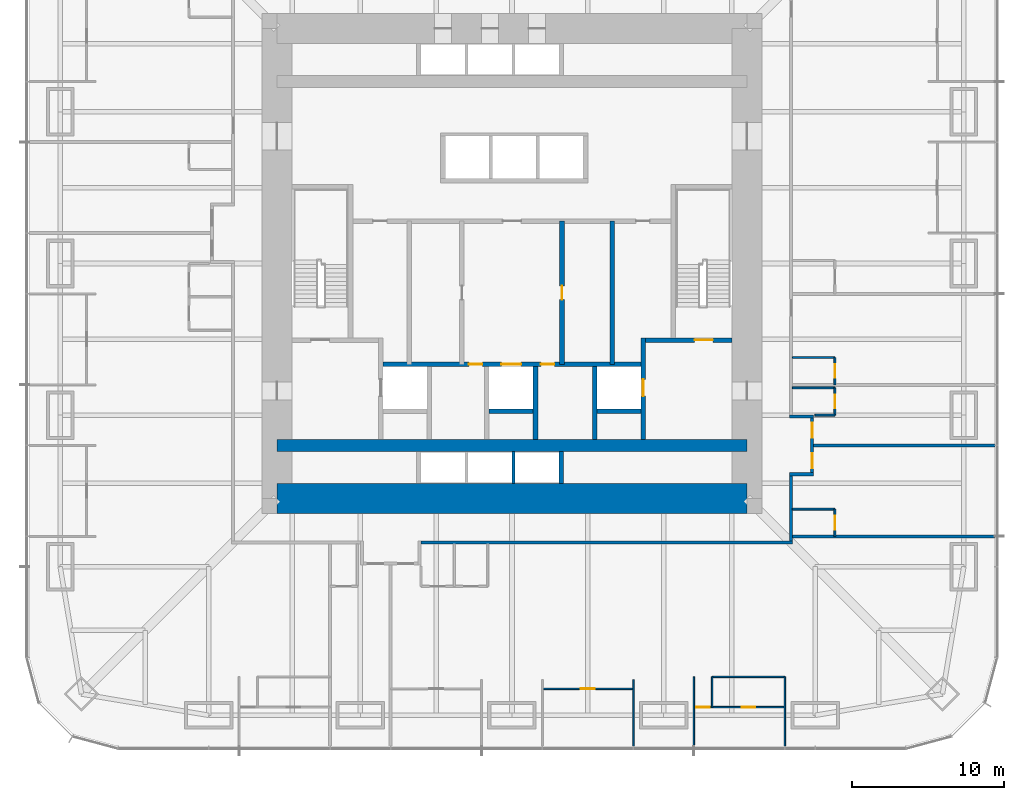
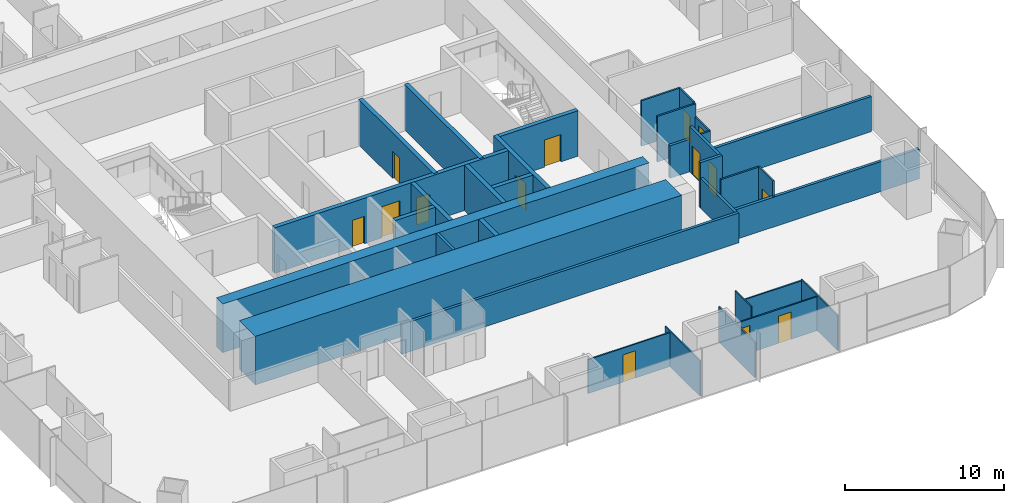
# One storey, part 16 of 20: 34 walls, 14 doors, 14 openings.
"""IFC4 building model written with IfcOpenShell, lengths in metres."""

from ifc_helpers import new_model, si_unit, direction, frame, frame_2d, origin, place, context, subcontext, project, spatial, rectangle, extrude, material, layer, layer_set, type_object, element, fill, save


model = new_model("IFC4")

# Units and contexts
model_context = context("Model", 3, precision=1e-05, world=origin(), true_north=direction((0.0, 1.0)))
body_context = subcontext(model_context, "Body", "Model", "MODEL_VIEW")
ifc_project = project(units=[si_unit("LENGTHUNIT", "METRE"), si_unit("AREAUNIT", "SQUARE_METRE"), si_unit("VOLUMEUNIT", "CUBIC_METRE"), si_unit("PLANEANGLEUNIT", "RADIAN"), si_unit("MASSUNIT", "GRAM", prefix="KILO")], contexts=[model_context])

# Site, building, storey
site_placement = place(None, origin())
site = spatial("IfcSite", under=ifc_project, at=site_placement, CompositionType="ELEMENT")
building_placement = place(site_placement, origin())
building = spatial("IfcBuilding", under=site, at=building_placement, Name="Khuree Lantern Residences", CompositionType="ELEMENT")
storey_placement = place(building_placement, frame((0.0, 0.0, 32.25)))
storey = spatial("IfcBuildingStorey", under=building, at=storey_placement, Name="L07", CompositionType="ELEMENT", Elevation=32.25)

# Wall, opening, door
ifc_material_1 = material(Name="Moisture-resistant gypsum board on steel studs", Category="steel")
ifc_layer_1 = layer(ifc_material_1, 0.125)
ifc_layer_set_1 = layer_set([ifc_layer_1], Name="BATHROOM WALL BTW125")
wall_type_1 = type_object("IfcWallType", Name="BATHROOM WALL BTW125", PredefinedType="PARTITIONING", material=ifc_layer_set_1)
wall_1_placement = place(storey_placement, frame((21.300048828125, -8.0, 0.0), z_axis=(0.0, 0.0, 1.0), x_axis=(0.0, 1.0, 0.0)))
wall_1 = element("IfcWall", 1, at=wall_1_placement, inside=storey, type_object=wall_type_1, Name="L07 BATHROOM WALL 01", PredefinedType="PARTITIONING", context=body_context, shape_type="SweptSolid", body=[
    extrude(rectangle(XDim=1.800048828125, YDim=0.125, at=frame_2d((0.89990234375, 0.0))), origin(), (0.0, 0.0, 1.0), 3.5),
])
opening_1_placement = place(wall_1_placement, frame((0.449951171875, 0.0, 0.0)))
opening_1 = element("IfcOpeningElement", 2, at=opening_1_placement, cuts=wall_1, Name="Opening 07-020", PredefinedType="OPENING", context=body_context, shape_type="SweptSolid", body=[
    extrude(rectangle(XDim=0.89990234375, YDim=2.10009765625, at=frame_2d((0.449951171875, 1.050048828125))), frame((0.0, 0.072509765625, 0.0), z_axis=(0.0, -1.0, 0.0), x_axis=(1.0, 0.0, 0.0)), (0.0, 0.0, 1.0), 0.14501953125),
])
ifc_material_2 = material(Name="Timber door leaf in hardwood frame", Category="wood")
door_type_1 = type_object("IfcDoorType", Name="BATHROOM DOOR 900X2100", OperationType="SINGLE_SWING_LEFT", PredefinedType="DOOR", material=ifc_material_2)
door_1_placement = place(opening_1_placement, origin())
door_1 = element("IfcDoor", 3, at=door_1_placement, inside=storey, type_object=door_type_1, Name="Bathroom door 07-020", OperationType="SINGLE_SWING_LEFT", OverallHeight=2.10009765625, OverallWidth=0.89990234375, PredefinedType="DOOR", context=body_context, shape_type="SweptSolid", body=[
    extrude(rectangle(XDim=0.89990234375, YDim=2.10009765625, at=frame_2d((0.449951171875, 1.050048828125))), frame((0.0, 0.02490234375, 0.0), z_axis=(0.0, -1.0, 0.0), x_axis=(1.0, 0.0, 0.0)), (0.0, 0.0, 1.0), 0.050048828125),
])
fill(opening_1, door_1)

# Wall
wall_2_placement = place(storey_placement, frame((18.5, -6.199951171875, 0.0), z_axis=(0.0, 0.0, 1.0), x_axis=(1.0, 0.0, 0.0)))
element("IfcWall", 4, at=wall_2_placement, inside=storey, type_object=wall_type_1, Name="L07 BATHROOM WALL 01", PredefinedType="PARTITIONING", context=body_context, shape_type="SweptSolid", body=[
    extrude(rectangle(XDim=2.800048828125, YDim=0.125, at=frame_2d((1.39990234375, 0.0))), origin(), (0.0, 0.0, 1.0), 3.5),
])

# Wall, opening, door
wall_3_placement = place(storey_placement, frame((21.300048828125, -18.0, 0.0), z_axis=(0.0, 0.0, 1.0), x_axis=(0.0, 1.0, 0.0)))
wall_3 = element("IfcWall", 5, at=wall_3_placement, inside=storey, type_object=wall_type_1, Name="L07 BATHROOM WALL 12", PredefinedType="PARTITIONING", context=body_context, shape_type="SweptSolid", body=[
    extrude(rectangle(XDim=1.800048828125, YDim=0.125, at=frame_2d((0.89990234375, 0.0))), origin(), (0.0, 0.0, 1.0), 3.5),
])
opening_2_placement = place(wall_3_placement, frame((0.449951171875, 0.0, 0.0)))
opening_2 = element("IfcOpeningElement", 6, at=opening_2_placement, cuts=wall_3, Name="Opening 07-059", PredefinedType="OPENING", context=body_context, shape_type="SweptSolid", body=[
    extrude(rectangle(XDim=0.89990234375, YDim=2.10009765625, at=frame_2d((0.449951171875, 1.050048828125))), frame((0.0, 0.072509765625, 0.0), z_axis=(0.0, -1.0, 0.0), x_axis=(1.0, 0.0, 0.0)), (0.0, 0.0, 1.0), 0.14501953125),
])
door_2_placement = place(opening_2_placement, origin())
door_2 = element("IfcDoor", 7, at=door_2_placement, inside=storey, type_object=door_type_1, Name="Bathroom door 07-059", OperationType="SINGLE_SWING_LEFT", OverallHeight=2.10009765625, OverallWidth=0.89990234375, PredefinedType="DOOR", context=body_context, shape_type="SweptSolid", body=[
    extrude(rectangle(XDim=0.89990234375, YDim=2.10009765625, at=frame_2d((0.449951171875, 1.050048828125))), frame((0.0, 0.02490234375, 0.0), z_axis=(0.0, -1.0, 0.0), x_axis=(1.0, 0.0, 0.0)), (0.0, 0.0, 1.0), 0.050048828125),
])
fill(opening_2, door_2)

# Wall
wall_4_placement = place(storey_placement, frame((18.5, -16.199951171875, 0.0), z_axis=(0.0, 0.0, 1.0), x_axis=(1.0, 0.0, 0.0)))
element("IfcWall", 8, at=wall_4_placement, inside=storey, type_object=wall_type_1, Name="L07 BATHROOM WALL 12", PredefinedType="PARTITIONING", context=body_context, shape_type="SweptSolid", body=[
    extrude(rectangle(XDim=2.800048828125, YDim=0.125, at=frame_2d((1.39990234375, 0.0))), origin(), (0.0, 0.0, 1.0), 3.5),
])

# Wall, opening, door
wall_5_placement = place(storey_placement, frame((21.300048828125, -10.0, 0.0), z_axis=(0.0, 0.0, 1.0), x_axis=(0.0, 1.0, 0.0)))
wall_5 = element("IfcWall", 9, at=wall_5_placement, inside=storey, type_object=wall_type_1, Name="L07 BATHROOM WALL 13", PredefinedType="PARTITIONING", context=body_context, shape_type="SweptSolid", body=[
    extrude(rectangle(XDim=1.800048828125, YDim=0.125, at=frame_2d((0.89990234375, 0.0))), origin(), (0.0, 0.0, 1.0), 2.491943359375),
])
opening_3_placement = place(wall_5_placement, frame((0.449951171875, 0.0, 0.0)))
opening_3 = element("IfcOpeningElement", 10, at=opening_3_placement, cuts=wall_5, Name="Opening 07-061", PredefinedType="OPENING", context=body_context, shape_type="SweptSolid", body=[
    extrude(rectangle(XDim=0.89990234375, YDim=2.10009765625, at=frame_2d((0.449951171875, 1.050048828125))), frame((0.0, 0.072509765625, 0.0), z_axis=(0.0, -1.0, 0.0), x_axis=(1.0, 0.0, 0.0)), (0.0, 0.0, 1.0), 0.14501953125),
])
door_3_placement = place(opening_3_placement, origin())
door_3 = element("IfcDoor", 11, at=door_3_placement, inside=storey, type_object=door_type_1, Name="Bathroom door 07-061", OperationType="SINGLE_SWING_LEFT", OverallHeight=2.10009765625, OverallWidth=0.89990234375, PredefinedType="DOOR", context=body_context, shape_type="SweptSolid", body=[
    extrude(rectangle(XDim=0.89990234375, YDim=2.10009765625, at=frame_2d((0.449951171875, 1.050048828125))), frame((0.0, 0.02490234375, 0.0), z_axis=(0.0, -1.0, 0.0), x_axis=(1.0, 0.0, 0.0)), (0.0, 0.0, 1.0), 0.050048828125),
])
fill(opening_3, door_3)

# Walls
wall_6_placement = place(storey_placement, frame((19.969970703125, -10.0, 0.0), z_axis=(0.0, 0.0, 1.0), x_axis=(1.0, 0.0, 0.0)))
element("IfcWall", 12, at=wall_6_placement, inside=storey, type_object=wall_type_1, Name="L07 BATHROOM WALL 13", PredefinedType="PARTITIONING", context=body_context, shape_type="SweptSolid", body=[
    extrude(rectangle(XDim=1.330078125, YDim=0.125, at=frame_2d((0.6650390625, 0.0))), origin(), (0.0, 0.0, 1.0), 2.491943359375),
])
wall_7_placement = place(storey_placement, frame((18.5, -8.199951171875, 0.0), z_axis=(0.0, 0.0, 1.0), x_axis=(1.0, 0.0, 0.0)))
element("IfcWall", 13, at=wall_7_placement, inside=storey, type_object=wall_type_1, Name="L07 BATHROOM WALL 13", PredefinedType="PARTITIONING", context=body_context, shape_type="SweptSolid", body=[
    extrude(rectangle(XDim=2.800048828125, YDim=0.125, at=frame_2d((1.39990234375, 0.0))), origin(), (0.0, 0.0, 1.0), 3.5),
])

# Wall, opening, door
ifc_material_3 = material(Name="Dense concrete blockwork", Category="masonry")
ifc_layer_2 = layer(ifc_material_3, 0.300048828125)
ifc_layer_set_2 = layer_set([ifc_layer_2], Name="CORE PARTITION WALL CPW300 EI 120")
wall_type_2 = type_object("IfcWallType", Name="CORE PARTITION WALL CPW300 EI 120", PredefinedType="PARTITIONING", material=ifc_layer_set_2)
wall_8_placement = place(storey_placement, frame((8.64990234375, -11.60009765625, 0.0), z_axis=(0.0, 0.0, 1.0), x_axis=(0.0, 1.0, 0.0)))
wall_8 = element("IfcWall", 14, at=wall_8_placement, inside=storey, type_object=wall_type_2, Name="L07 CORE WALL FL2E", PredefinedType="PARTITIONING", context=body_context, shape_type="SweptSolid", body=[
    extrude(rectangle(XDim=6.7001953125, YDim=0.300048828125, at=frame_2d((3.35009765625, 0.0))), origin(), (0.0, 0.0, 1.0), 3.5),
])
opening_4_placement = place(wall_8_placement, frame((2.85009765625, 0.0, 0.0)))
opening_4 = element("IfcOpeningElement", 15, at=opening_4_placement, cuts=wall_8, Name="Opening 07-008", PredefinedType="OPENING", context=body_context, shape_type="SweptSolid", body=[
    extrude(rectangle(XDim=1.10009765625, YDim=2.10009765625, at=frame_2d((0.550048828125, 1.050048828125))), frame((0.0, 0.16015625, 0.0), z_axis=(0.0, -1.0, 0.0), x_axis=(1.0, 0.0, 0.0)), (0.0, 0.0, 1.0), 0.320068359375),
])
ifc_material_4 = material(Name="Stainless steel lift landing door", Category="steel")
door_type_2 = type_object("IfcDoorType", Name="LIFT LANDING DOOR 1100X2100 E 120", OperationType="DOUBLE_DOOR_SLIDING", PredefinedType="DOOR", material=ifc_material_4)
door_4_placement = place(opening_4_placement, origin())
door_4 = element("IfcDoor", 16, at=door_4_placement, inside=storey, type_object=door_type_2, Name="Landing door FL2 07-008", OperationType="DOUBLE_DOOR_SLIDING", OverallHeight=2.10009765625, OverallWidth=1.10009765625, PredefinedType="DOOR", context=body_context, shape_type="SweptSolid", body=[
    extrude(rectangle(XDim=1.10009765625, YDim=2.10009765625, at=frame_2d((0.550048828125, 1.050048828125))), frame((0.0, 0.02490234375, 0.0), z_axis=(0.0, -1.0, 0.0), x_axis=(1.0, 0.0, 0.0)), (0.0, 0.0, 1.0), 0.050048828125),
])
fill(opening_4, door_4)

# Wall, openings, doors
wall_9_placement = place(storey_placement, frame((-8.5, -6.64990234375, 0.0), z_axis=(0.0, 0.0, 1.0), x_axis=(1.0, 0.0, 0.0)))
wall_9 = element("IfcWall", 17, at=wall_9_placement, inside=storey, type_object=wall_type_2, Name="L07 CORE WALL FLROW", PredefinedType="PARTITIONING", context=body_context, shape_type="SweptSolid", body=[
    extrude(rectangle(XDim=17.0, YDim=0.300048828125, at=frame_2d((8.5, 0.0))), origin(), (0.0, 0.0, 1.0), 3.5),
])
opening_5_placement = place(wall_9_placement, frame((7.800048828125, 0.0, 0.0)))
opening_5 = element("IfcOpeningElement", 18, at=opening_5_placement, cuts=wall_9, Name="Opening 07-012", PredefinedType="OPENING", context=body_context, shape_type="SweptSolid", body=[
    extrude(rectangle(XDim=1.300048828125, YDim=2.39990234375, at=frame_2d((0.64990234375, 1.199951171875))), frame((0.0, 0.16015625, 0.0), z_axis=(0.0, -1.0, 0.0), x_axis=(1.0, 0.0, 0.0)), (0.0, 0.0, 1.0), 0.320068359375),
])
opening_6_placement = place(wall_9_placement, frame((5.64990234375, 0.0, 0.0)))
opening_6 = element("IfcOpeningElement", 19, at=opening_6_placement, cuts=wall_9, Name="Opening 07-014", PredefinedType="OPENING", context=body_context, shape_type="SweptSolid", body=[
    extrude(rectangle(XDim=0.89990234375, YDim=2.10009765625, at=frame_2d((0.449951171875, 1.050048828125))), frame((0.0, 0.16015625, 0.0), z_axis=(0.0, -1.0, 0.0), x_axis=(1.0, 0.0, 0.0)), (0.0, 0.0, 1.0), 0.320068359375),
])
opening_7_placement = place(wall_9_placement, frame((10.39990234375, 0.0, 0.0)))
opening_7 = element("IfcOpeningElement", 20, at=opening_7_placement, cuts=wall_9, Name="Opening 07-015", PredefinedType="OPENING", context=body_context, shape_type="SweptSolid", body=[
    extrude(rectangle(XDim=0.89990234375, YDim=2.10009765625, at=frame_2d((0.449951171875, 1.050048828125))), frame((0.0, 0.16015625, 0.0), z_axis=(0.0, -1.0, 0.0), x_axis=(1.0, 0.0, 0.0)), (0.0, 0.0, 1.0), 0.320068359375),
])
ifc_material_5 = material(Name="Steel door leaf in steel frame", Category="steel")
door_type_3 = type_object("IfcDoorType", Name="DOOR 900X2100 EI 60", OperationType="SINGLE_SWING_LEFT", PredefinedType="DOOR", material=ifc_material_5)
door_5_placement = place(opening_6_placement, origin())
door_5 = element("IfcDoor", 21, at=door_5_placement, inside=storey, type_object=door_type_3, Name="Refuse chute room door 07-014", OperationType="SINGLE_SWING_LEFT", OverallHeight=2.10009765625, OverallWidth=0.89990234375, PredefinedType="DOOR", context=body_context, shape_type="SweptSolid", body=[
    extrude(rectangle(XDim=0.89990234375, YDim=2.10009765625, at=frame_2d((0.449951171875, 1.050048828125))), frame((0.0, 0.02490234375, 0.0), z_axis=(0.0, -1.0, 0.0), x_axis=(1.0, 0.0, 0.0)), (0.0, 0.0, 1.0), 0.050048828125),
])
fill(opening_6, door_5)
door_type_4 = type_object("IfcDoorType", Name="DOOR 900X2100 EI 60 RIGHT HAND", OperationType="SINGLE_SWING_RIGHT", PredefinedType="DOOR", material=ifc_material_5)
door_6_placement = place(opening_7_placement, origin())
door_6 = element("IfcDoor", 22, at=door_6_placement, inside=storey, type_object=door_type_4, Name="Electrical and plumbing riser door 07-015", OperationType="SINGLE_SWING_RIGHT", OverallHeight=2.10009765625, OverallWidth=0.89990234375, PredefinedType="DOOR", context=body_context, shape_type="SweptSolid", body=[
    extrude(rectangle(XDim=0.89990234375, YDim=2.10009765625, at=frame_2d((0.449951171875, 1.050048828125))), frame((0.0, 0.02490234375, 0.0), z_axis=(0.0, -1.0, 0.0), x_axis=(1.0, 0.0, 0.0)), (0.0, 0.0, 1.0), 0.050048828125),
])
fill(opening_7, door_6)
door_type_5 = type_object("IfcDoorType", Name="LIFT LANDING DOOR 1300X2400 E 60", OperationType="DOUBLE_DOOR_SLIDING", PredefinedType="DOOR", material=ifc_material_4)
door_7_placement = place(opening_5_placement, origin())
door_7 = element("IfcDoor", 23, at=door_7_placement, inside=storey, type_object=door_type_5, Name="Landing door SL1 07-012", OperationType="DOUBLE_DOOR_SLIDING", OverallHeight=2.39990234375, OverallWidth=1.300048828125, PredefinedType="DOOR", context=body_context, shape_type="SweptSolid", body=[
    extrude(rectangle(XDim=1.300048828125, YDim=2.39990234375, at=frame_2d((0.64990234375, 1.199951171875))), frame((0.0, 0.02490234375, 0.0), z_axis=(0.0, -1.0, 0.0), x_axis=(1.0, 0.0, 0.0)), (0.0, 0.0, 1.0), 0.050048828125),
])
fill(opening_5, door_7)

# Walls
for number, where, z_axis, x_axis, name in (
    (24, (1.550048828125, -11.60009765625, 0.0), (0.0, 0.0, 1.0), (0.0, 1.0, 0.0), "L07 CORE WALL SL1E"),
    (25, (5.449951171875, -11.60009765625, 0.0), (0.0, 0.0, 1.0), (0.0, 1.0, 0.0), "L07 CORE WALL FL2W"),
):
    element("IfcWall", number, at=place(storey_placement, frame(where, z_axis=z_axis, x_axis=x_axis)), inside=storey, type_object=wall_type_2, Name=name, PredefinedType="PARTITIONING", context=body_context, shape_type="SweptSolid", body=[
        extrude(rectangle(XDim=4.800048828125, YDim=0.300048828125, at=frame_2d((2.39990234375, 0.0))), origin(), (0.0, 0.0, 1.0), 3.5),
    ])
for number, where, z_axis, x_axis, name in (
    (26, (-1.5, -9.75, 0.0), (0.0, 0.0, 1.0), (1.0, 0.0, 0.0), "L07 CORE WALL SL1S"),
    (27, (5.60009765625, -9.75, 0.0), (0.0, 0.0, 1.0), (1.0, 0.0, 0.0), "L07 CORE WALL FL2S"),
):
    element("IfcWall", number, at=place(storey_placement, frame(where, z_axis=z_axis, x_axis=x_axis)), inside=storey, type_object=wall_type_2, Name=name, PredefinedType="PARTITIONING", context=body_context, shape_type="SweptSolid", body=[
        extrude(rectangle(XDim=2.89990234375, YDim=0.300048828125, at=frame_2d((1.449951171875, 0.0))), origin(), (0.0, 0.0, 1.0), 3.5),
    ])
wall_10_placement = place(storey_placement, frame((3.25, -14.5, 0.0), z_axis=(0.0, 0.0, 1.0), x_axis=(0.0, 1.0, 0.0)))
element("IfcWall", 28, at=wall_10_placement, inside=storey, type_object=wall_type_2, Name="L07 CORE WALL PME", PredefinedType="PARTITIONING", context=body_context, shape_type="SweptSolid", body=[
    extrude(rectangle(XDim=2.10009765625, YDim=0.300048828125, at=frame_2d((1.050048828125, 0.0))), origin(), (0.0, 0.0, 1.0), 3.5),
])

# Wall, opening, door
wall_11_placement = place(storey_placement, frame((3.300048828125, -6.64990234375, 0.0), z_axis=(0.0, 0.0, 1.0), x_axis=(0.0, 1.0, 0.0)))
wall_11 = element("IfcWall", 29, at=wall_11_placement, inside=storey, type_object=wall_type_2, Name="L07 CORE WALL SVE", PredefinedType="PARTITIONING", context=body_context, shape_type="SweptSolid", body=[
    extrude(rectangle(XDim=9.449951171875, YDim=0.300048828125, at=frame_2d((4.72509765625, 0.0))), origin(), (0.0, 0.0, 1.0), 3.5),
])
opening_8_placement = place(wall_11_placement, frame((4.27490234375, 0.0, 0.0)))
opening_8 = element("IfcOpeningElement", 30, at=opening_8_placement, cuts=wall_11, Name="Opening 07-018", PredefinedType="OPENING", context=body_context, shape_type="SweptSolid", body=[
    extrude(rectangle(XDim=0.89990234375, YDim=2.10009765625, at=frame_2d((0.449951171875, 1.050048828125))), frame((0.0, 0.16015625, 0.0), z_axis=(0.0, -1.0, 0.0), x_axis=(1.0, 0.0, 0.0)), (0.0, 0.0, 1.0), 0.320068359375),
])
door_type_6 = type_object("IfcDoorType", Name="DOOR 900X2100", OperationType="SINGLE_SWING_LEFT", PredefinedType="DOOR", material=ifc_material_2)
door_8_placement = place(opening_8_placement, origin())
door_8 = element("IfcDoor", 31, at=door_8_placement, inside=storey, type_object=door_type_6, Name="Residents' store door 07-018", OperationType="SINGLE_SWING_LEFT", OverallHeight=2.10009765625, OverallWidth=0.89990234375, PredefinedType="DOOR", context=body_context, shape_type="SweptSolid", body=[
    extrude(rectangle(XDim=0.89990234375, YDim=2.10009765625, at=frame_2d((0.449951171875, 1.050048828125))), frame((0.0, 0.02490234375, 0.0), z_axis=(0.0, -1.0, 0.0), x_axis=(1.0, 0.0, 0.0)), (0.0, 0.0, 1.0), 0.050048828125),
])
fill(opening_8, door_8)

# Walls
wall_12_placement = place(storey_placement, frame((6.6220703125, -6.64990234375, 0.0), z_axis=(0.0, 0.0, 1.0), x_axis=(0.0, 1.0, 0.0)))
element("IfcWall", 32, at=wall_12_placement, inside=storey, type_object=wall_type_2, Name="L07 CORE WALL EV", PredefinedType="PARTITIONING", context=body_context, shape_type="SweptSolid", body=[
    extrude(rectangle(XDim=9.449951171875, YDim=0.300048828125, at=frame_2d((4.72509765625, 0.0))), origin(), (0.0, 0.0, 1.0), 3.5),
])
ifc_material_6 = material(Name="Gypsum board on steel studs", Category="steel")
ifc_layer_3 = layer(ifc_material_6, 0.199951171875)
ifc_layer_set_3 = layer_set([ifc_layer_3], Name="CORRIDOR WALL CRW200 EI 60")
wall_type_3 = type_object("IfcWallType", Name="CORRIDOR WALL CRW200 EI 60", PredefinedType="PARTITIONING", material=ifc_layer_set_3)
wall_13_placement = place(storey_placement, frame((18.39990234375, -18.300048828125, 0.0), z_axis=(0.0, 0.0, 1.0), x_axis=(0.0, 1.0, 0.0)))
element("IfcWall", 33, at=wall_13_placement, inside=storey, type_object=wall_type_3, Name="L07 CORRIDOR WALL EAST 1", PredefinedType="PARTITIONING", context=body_context, shape_type="SweptSolid", body=[
    extrude(rectangle(XDim=4.300048828125, YDim=0.199951171875, at=frame_2d((2.14990234375, 0.0))), origin(), (0.0, 0.0, 1.0), 2.300048828125),
])
wall_14_placement = place(storey_placement, frame((18.300048828125, -13.89990234375, 0.0), z_axis=(0.0, 0.0, 1.0), x_axis=(1.0, 0.0, 0.0)))
element("IfcWall", 34, at=wall_14_placement, inside=storey, type_object=wall_type_3, Name="L07 CORRIDOR ALCOVE WALL EAST", PredefinedType="PARTITIONING", context=body_context, shape_type="SweptSolid", body=[
    extrude(rectangle(XDim=1.599853515625, YDim=0.199951171875, at=frame_2d((0.7998046875, 0.0))), origin(), (0.0, 0.0, 1.0), 3.5),
])
wall_15_placement = place(storey_placement, frame((18.300048828125, -10.10009765625, 0.0), z_axis=(0.0, 0.0, 1.0), x_axis=(1.0, 0.0, 0.0)))
element("IfcWall", 35, at=wall_15_placement, inside=storey, type_object=wall_type_3, Name="L07 CORRIDOR ALCOVE WALL EAST", PredefinedType="PARTITIONING", context=body_context, shape_type="SweptSolid", body=[
    extrude(rectangle(XDim=1.599853515625, YDim=0.199951171875, at=frame_2d((0.7998046875, 0.0))), origin(), (0.0, 0.0, 1.0), 2.491943359375),
])

# Wall, openings, doors
wall_16_placement = place(storey_placement, frame((19.800048828125, -13.800048828125, 0.0), z_axis=(0.0, 0.0, 1.0), x_axis=(0.0, 1.0, 0.0)))
wall_16 = element("IfcWall", 36, at=wall_16_placement, inside=storey, type_object=wall_type_3, Name="L07 CORRIDOR ALCOVE WALL EAST", PredefinedType="PARTITIONING", context=body_context, shape_type="SweptSolid", body=[
    extrude(rectangle(XDim=3.60009765625, YDim=0.199951171875, at=frame_2d((1.800048828125, 0.0))), origin(), (0.0, 0.0, 1.0), 3.5),
])
opening_9_placement = place(wall_16_placement, frame((0.300048828125, 0.0, 0.0)))
opening_9 = element("IfcOpeningElement", 37, at=opening_9_placement, cuts=wall_16, Name="Opening 07-060", PredefinedType="OPENING", context=body_context, shape_type="SweptSolid", body=[
    extrude(rectangle(XDim=1.0, YDim=2.199951171875, at=frame_2d((0.5, 1.10009765625))), frame((0.0, 0.10986328125, 0.0), z_axis=(0.0, -1.0, 0.0), x_axis=(1.0, 0.0, 0.0)), (0.0, 0.0, 1.0), 0.219970703125),
])
opening_10_placement = place(wall_16_placement, frame((2.300048828125, 0.0, 0.0)))
opening_10 = element("IfcOpeningElement", 38, at=opening_10_placement, cuts=wall_16, Name="Opening 07-062", PredefinedType="OPENING", context=body_context, shape_type="SweptSolid", body=[
    extrude(rectangle(XDim=1.0, YDim=2.199951171875, at=frame_2d((0.5, 1.10009765625))), frame((0.0, 0.10986328125, 0.0), z_axis=(0.0, -1.0, 0.0), x_axis=(1.0, 0.0, 0.0)), (0.0, 0.0, 1.0), 0.219970703125),
])
door_type_7 = type_object("IfcDoorType", Name="APARTMENT ENTRANCE DOOR 1000X2200 EI 30S", OperationType="SINGLE_SWING_LEFT", PredefinedType="DOOR", material=ifc_material_2)
door_9_placement = place(opening_9_placement, origin())
door_9 = element("IfcDoor", 39, at=door_9_placement, inside=storey, type_object=door_type_7, Name="Apartment 12 entrance door 07-060", OperationType="SINGLE_SWING_LEFT", OverallHeight=2.199951171875, OverallWidth=1.0, PredefinedType="DOOR", context=body_context, shape_type="SweptSolid", body=[
    extrude(rectangle(XDim=1.0, YDim=2.199951171875, at=frame_2d((0.5, 1.10009765625))), frame((0.0, 0.02490234375, 0.0), z_axis=(0.0, -1.0, 0.0), x_axis=(1.0, 0.0, 0.0)), (0.0, 0.0, 1.0), 0.050048828125),
])
fill(opening_9, door_9)
door_type_8 = type_object("IfcDoorType", Name="APARTMENT ENTRANCE DOOR 1000X2200 EI 30S RIGHT HAND", OperationType="SINGLE_SWING_RIGHT", PredefinedType="DOOR", material=ifc_material_2)
door_10_placement = place(opening_10_placement, origin())
door_10 = element("IfcDoor", 40, at=door_10_placement, inside=storey, type_object=door_type_8, Name="Apartment 13 entrance door 07-062", OperationType="SINGLE_SWING_RIGHT", OverallHeight=2.199951171875, OverallWidth=1.0, PredefinedType="DOOR", context=body_context, shape_type="SweptSolid", body=[
    extrude(rectangle(XDim=1.0, YDim=2.199951171875, at=frame_2d((0.5, 1.10009765625))), frame((0.0, 0.02490234375, 0.0), z_axis=(0.0, -1.0, 0.0), x_axis=(1.0, 0.0, 0.0)), (0.0, 0.0, 1.0), 0.050048828125),
])
fill(opening_10, door_10)

# Walls
wall_17_placement = place(storey_placement, frame((18.5, -18.39990234375, 0.0), z_axis=(0.0, 0.0, 1.0), x_axis=(-1.0, 0.0, 0.0)))
element("IfcWall", 41, at=wall_17_placement, inside=storey, type_object=wall_type_3, Name="L07 CORRIDOR WALL SOUTH 1", PredefinedType="PARTITIONING", context=body_context, shape_type="SweptSolid", body=[
    extrude(rectangle(XDim=24.5, YDim=0.199951171875, at=frame_2d((12.25, 0.0))), origin(), (0.0, 0.0, 1.0), 2.300048828125),
])
ifc_material_7 = material(Name="Concrete C70/85", Category="concrete")
ifc_layer_4 = layer(ifc_material_7, 2.0)
ifc_layer_set_4 = layer_set([ifc_layer_4], Name="CW2000-C70 CORE WALL C70 2000")
wall_type_4 = type_object("IfcWallType", Name="CW2000-C70 CORE WALL C70 2000", PredefinedType="SHEAR", material=ifc_layer_set_4)
wall_18_placement = place(storey_placement, frame((-15.5, -15.5, -0.25), z_axis=(0.0, 0.0, 1.0), x_axis=(1.0, 0.0, 0.0)))
element("IfcWall", 42, at=wall_18_placement, inside=storey, type_object=wall_type_4, Name="Core wall S", PredefinedType="SHEAR", context=body_context, shape_type="SweptSolid", body=[
    extrude(rectangle(XDim=31.0, YDim=2.0, at=frame_2d((15.5, 0.0))), origin(), (0.0, 0.0, 1.0), 3.75),
])
ifc_layer_5 = layer(ifc_material_6, 0.199951171875)
ifc_layer_set_5 = layer_set([ifc_layer_5], Name="DEMISING WALL DMW200 EI 90")
wall_type_5 = type_object("IfcWallType", Name="DEMISING WALL DMW200 EI 90", PredefinedType="PARTITIONING", material=ifc_layer_set_5)
wall_19_placement = place(storey_placement, frame((18.5, -18.0, 0.0), z_axis=(0.0, 0.0, 1.0), x_axis=(1.0, 0.0, 0.0)))
element("IfcWall", 43, at=wall_19_placement, inside=storey, type_object=wall_type_5, Name="L07 DEMISING WALL 12", PredefinedType="PARTITIONING", context=body_context, shape_type="SweptSolid", body=[
    extrude(rectangle(XDim=13.35009765625, YDim=0.199951171875, at=frame_2d((6.675048828125, 0.0))), origin(), (0.0, 0.0, 1.0), 2.300048828125),
])
wall_20_placement = place(storey_placement, frame((19.89990234375, -12.0, 0.0), z_axis=(0.0, 0.0, 1.0), x_axis=(1.0, 0.0, 0.0)))
element("IfcWall", 44, at=wall_20_placement, inside=storey, type_object=wall_type_5, Name="L07 DEMISING WALL 13", PredefinedType="PARTITIONING", context=body_context, shape_type="SweptSolid", body=[
    extrude(rectangle(XDim=11.9501953125, YDim=0.199951171875, at=frame_2d((5.97509765625, 0.0))), origin(), (0.0, 0.0, 1.0), 2.7099609375),
])
ifc_layer_6 = layer(ifc_material_6, 0.10009765625)
ifc_layer_set_6 = layer_set([ifc_layer_6], Name="PARTITION PT100")
wall_type_6 = type_object("IfcWallType", Name="PARTITION PT100", PredefinedType="PARTITIONING", material=ifc_layer_set_6)
wall_21_placement = place(storey_placement, frame((8.0, -27.449951171875, 0.0), z_axis=(0.0, 0.0, 1.0), x_axis=(0.0, -1.0, 0.0)))
element("IfcWall", 45, at=wall_21_placement, inside=storey, type_object=wall_type_6, Name="L07 PARTITION 11", PredefinedType="PARTITIONING", context=body_context, shape_type="SweptSolid", body=[
    extrude(rectangle(XDim=4.400146484375, YDim=0.10009765625, at=frame_2d((2.2001953125, 0.0))), origin(), (0.0, 0.0, 1.0), 2.7099609375),
])
for number, where, z_axis, x_axis, name in (
    (46, (12.0, -27.2666015625, 0.0), (0.0, 0.0, 1.0), (0.0, -1.0, 0.0), "L07 PARTITION 11"),
    (47, (18.0, -27.2666015625, 0.0), (0.0, 0.0, 1.0), (0.0, -1.0, 0.0), "L07 PARTITION 11"),
):
    element("IfcWall", number, at=place(storey_placement, frame(where, z_axis=z_axis, x_axis=x_axis)), inside=storey, type_object=wall_type_6, Name=name, PredefinedType="PARTITIONING", context=body_context, shape_type="SweptSolid", body=[
        extrude(rectangle(XDim=4.58349609375, YDim=0.10009765625, at=frame_2d((2.291748046875, 0.0))), origin(), (0.0, 0.0, 1.0), 2.7099609375),
    ])

# Wall, opening, door
wall_22_placement = place(storey_placement, frame((2.0, -28.050048828125, 0.0), z_axis=(0.0, 0.0, 1.0), x_axis=(1.0, 0.0, 0.0)))
wall_22 = element("IfcWall", 48, at=wall_22_placement, inside=storey, type_object=wall_type_6, Name="L07 PARTITION 11", PredefinedType="PARTITIONING", context=body_context, shape_type="SweptSolid", body=[
    extrude(rectangle(XDim=6.0, YDim=0.10009765625, at=frame_2d((3.0, 0.0))), origin(), (0.0, 0.0, 1.0), 2.610107421875),
])
opening_11_placement = place(wall_22_placement, frame((2.550048828125, 0.0, 0.0)))
opening_11 = element("IfcOpeningElement", 49, at=opening_11_placement, cuts=wall_22, Name="Opening 07-053", PredefinedType="OPENING", context=body_context, shape_type="SweptSolid", body=[
    extrude(rectangle(XDim=0.89990234375, YDim=2.10009765625, at=frame_2d((0.449951171875, 1.050048828125))), frame((0.0, 0.06005859375, 0.0), z_axis=(0.0, -1.0, 0.0), x_axis=(1.0, 0.0, 0.0)), (0.0, 0.0, 1.0), 0.1201171875),
])
door_type_9 = type_object("IfcDoorType", Name="BEDROOM DOOR 900X2100", OperationType="SINGLE_SWING_LEFT", PredefinedType="DOOR", material=ifc_material_2)
door_11_placement = place(opening_11_placement, origin())
door_11 = element("IfcDoor", 50, at=door_11_placement, inside=storey, type_object=door_type_9, Name="Bedroom door 07-053", OperationType="SINGLE_SWING_LEFT", OverallHeight=2.10009765625, OverallWidth=0.89990234375, PredefinedType="DOOR", context=body_context, shape_type="SweptSolid", body=[
    extrude(rectangle(XDim=0.89990234375, YDim=2.10009765625, at=frame_2d((0.449951171875, 1.050048828125))), frame((0.0, 0.02490234375, 0.0), z_axis=(0.0, -1.0, 0.0), x_axis=(1.0, 0.0, 0.0)), (0.0, 0.0, 1.0), 0.050048828125),
])
fill(opening_11, door_11)

# Wall, openings, doors
wall_23_placement = place(storey_placement, frame((12.0, -29.2666015625, 0.0), z_axis=(0.0, 0.0, 1.0), x_axis=(1.0, 0.0, 0.0)))
wall_23 = element("IfcWall", 51, at=wall_23_placement, inside=storey, type_object=wall_type_6, Name="L07 PARTITION 11", PredefinedType="PARTITIONING", context=body_context, shape_type="SweptSolid", body=[
    extrude(rectangle(XDim=6.0, YDim=0.10009765625, at=frame_2d((3.0, 0.0))), origin(), (0.0, 0.0, 1.0), 2.610107421875),
])
opening_12_placement = place(wall_23_placement, frame((0.14990234375, 0.0, 0.0)))
opening_12 = element("IfcOpeningElement", 52, at=opening_12_placement, cuts=wall_23, Name="Opening 07-054", PredefinedType="OPENING", context=body_context, shape_type="SweptSolid", body=[
    extrude(rectangle(XDim=0.89990234375, YDim=2.10009765625, at=frame_2d((0.449951171875, 1.050048828125))), frame((0.0, 0.06005859375, 0.0), z_axis=(0.0, -1.0, 0.0), x_axis=(1.0, 0.0, 0.0)), (0.0, 0.0, 1.0), 0.1201171875),
])
opening_13_placement = place(wall_23_placement, frame((3.14990234375, 0.0, 0.0)))
opening_13 = element("IfcOpeningElement", 53, at=opening_13_placement, cuts=wall_23, Name="Opening 07-055", PredefinedType="OPENING", context=body_context, shape_type="SweptSolid", body=[
    extrude(rectangle(XDim=0.89990234375, YDim=2.10009765625, at=frame_2d((0.449951171875, 1.050048828125))), frame((0.0, 0.06005859375, 0.0), z_axis=(0.0, -1.0, 0.0), x_axis=(1.0, 0.0, 0.0)), (0.0, 0.0, 1.0), 0.1201171875),
])
door_12_placement = place(opening_12_placement, origin())
door_12 = element("IfcDoor", 54, at=door_12_placement, inside=storey, type_object=door_type_9, Name="Bedroom door 07-054", OperationType="SINGLE_SWING_LEFT", OverallHeight=2.10009765625, OverallWidth=0.89990234375, PredefinedType="DOOR", context=body_context, shape_type="SweptSolid", body=[
    extrude(rectangle(XDim=0.89990234375, YDim=2.10009765625, at=frame_2d((0.449951171875, 1.050048828125))), frame((0.0, 0.02490234375, 0.0), z_axis=(0.0, -1.0, 0.0), x_axis=(1.0, 0.0, 0.0)), (0.0, 0.0, 1.0), 0.050048828125),
])
fill(opening_12, door_12)
door_13_placement = place(opening_13_placement, origin())
door_13 = element("IfcDoor", 55, at=door_13_placement, inside=storey, type_object=door_type_6, Name="Wardrobe door 07-055", OperationType="SINGLE_SWING_LEFT", OverallHeight=2.10009765625, OverallWidth=0.89990234375, PredefinedType="DOOR", context=body_context, shape_type="SweptSolid", body=[
    extrude(rectangle(XDim=0.89990234375, YDim=2.10009765625, at=frame_2d((0.449951171875, 1.050048828125))), frame((0.0, 0.02490234375, 0.0), z_axis=(0.0, -1.0, 0.0), x_axis=(1.0, 0.0, 0.0)), (0.0, 0.0, 1.0), 0.050048828125),
])
fill(opening_13, door_13)

# Walls
wall_24_placement = place(storey_placement, frame((13.199951171875, -27.2666015625, 0.0), z_axis=(0.0, 0.0, 1.0), x_axis=(0.0, -1.0, 0.0)))
element("IfcWall", 56, at=wall_24_placement, inside=storey, type_object=wall_type_6, Name="L07 PARTITION 11", PredefinedType="PARTITIONING", context=body_context, shape_type="SweptSolid", body=[
    extrude(rectangle(XDim=2.0, YDim=0.10009765625, at=frame_2d((1.0, 0.0))), origin(), (0.0, 0.0, 1.0), 3.5),
])
wall_25_placement = place(storey_placement, frame((13.199951171875, -27.2666015625, 0.0), z_axis=(0.0, 0.0, 1.0), x_axis=(1.0, 0.0, 0.0)))
element("IfcWall", 57, at=wall_25_placement, inside=storey, type_object=wall_type_6, Name="L07 PARTITION 11", PredefinedType="PARTITIONING", context=body_context, shape_type="SweptSolid", body=[
    extrude(rectangle(XDim=4.800048828125, YDim=0.10009765625, at=frame_2d((2.39990234375, 0.0))), origin(), (0.0, 0.0, 1.0), 2.610107421875),
])
ifc_layer_7 = layer(ifc_material_3, 0.199951171875)
ifc_layer_set_7 = layer_set([ifc_layer_7], Name="SHAFT WALL SHW200 EI 120")
wall_type_7 = type_object("IfcWallType", Name="SHAFT WALL SHW200 EI 120", PredefinedType="PARTITIONING", material=ifc_layer_set_7)
wall_26_placement = place(storey_placement, frame((0.10009765625, -14.5, 0.0), z_axis=(0.0, 0.0, 1.0), x_axis=(0.0, 1.0, 0.0)))
element("IfcWall", 58, at=wall_26_placement, inside=storey, type_object=wall_type_7, Name="L07 CORE WALL PMD2", PredefinedType="PARTITIONING", context=body_context, shape_type="SweptSolid", body=[
    extrude(rectangle(XDim=2.10009765625, YDim=0.199951171875, at=frame_2d((1.050048828125, 0.0))), origin(), (0.0, 0.0, 1.0), 3.5),
])
ifc_layer_8 = layer(ifc_material_7, 0.800048828125)
ifc_layer_set_8 = layer_set([ifc_layer_8], Name="SP800-C70 CORE SPINE WALL C70 800")
wall_type_8 = type_object("IfcWallType", Name="SP800-C70 CORE SPINE WALL C70 800", PredefinedType="SHEAR", material=ifc_layer_set_8)
wall_27_placement = place(storey_placement, frame((-15.5, -12.0, -0.25), z_axis=(0.0, 0.0, 1.0), x_axis=(1.0, 0.0, 0.0)))
element("IfcWall", 59, at=wall_27_placement, inside=storey, type_object=wall_type_8, Name="Core wall SPS", PredefinedType="SHEAR", context=body_context, shape_type="SweptSolid", body=[
    extrude(rectangle(XDim=31.0, YDim=0.800048828125, at=frame_2d((15.5, 0.0))), origin(), (0.0, 0.0, 1.0), 3.75),
])

# Wall, opening, door
ifc_material_8 = material(Name="Concrete C50/60", Category="concrete")
ifc_layer_9 = layer(ifc_material_8, 0.300048828125)
ifc_layer_set_9 = layer_set([ifc_layer_9], Name="STAIR WALL SRW300 C50/60 REI 240")
wall_type_9 = type_object("IfcWallType", Name="STAIR WALL SRW300 C50/60 REI 240", PredefinedType="SOLIDWALL", material=ifc_layer_set_9)
wall_28_placement = place(storey_placement, frame((14.5, -5.050048828125, 0.0), z_axis=(0.0, 0.0, 1.0), x_axis=(-1.0, 0.0, 0.0)))
wall_28 = element("IfcWall", 60, at=wall_28_placement, inside=storey, type_object=wall_type_9, Name="L07 STAIR WALL ST2S", PredefinedType="SOLIDWALL", context=body_context, shape_type="SweptSolid", body=[
    extrude(rectangle(XDim=5.699951171875, YDim=0.300048828125, at=frame_2d((2.85009765625, 0.0))), origin(), (0.0, 0.0, 1.0), 3.5),
])
opening_14_placement = place(wall_28_placement, frame((1.25, 0.0, 0.0)))
opening_14 = element("IfcOpeningElement", 61, at=opening_14_placement, cuts=wall_28, Name="Opening 07-004", PredefinedType="OPENING", context=body_context, shape_type="SweptSolid", body=[
    extrude(rectangle(XDim=1.199951171875, YDim=2.10009765625, at=frame_2d((0.60009765625, 1.050048828125))), frame((0.0, 0.16015625, 0.0), z_axis=(0.0, -1.0, 0.0), x_axis=(1.0, 0.0, 0.0)), (0.0, 0.0, 1.0), 0.320068359375),
])
door_type_10 = type_object("IfcDoorType", Name="STAIR DOOR 1200X2100 EI 120", OperationType="SINGLE_SWING_LEFT", PredefinedType="DOOR", material=ifc_material_5)
door_14_placement = place(opening_14_placement, origin())
door_14 = element("IfcDoor", 62, at=door_14_placement, inside=storey, type_object=door_type_10, Name="Stair ST2 door 07-004", OperationType="SINGLE_SWING_LEFT", OverallHeight=2.10009765625, OverallWidth=1.199951171875, PredefinedType="DOOR", context=body_context, shape_type="SweptSolid", body=[
    extrude(rectangle(XDim=1.199951171875, YDim=2.10009765625, at=frame_2d((0.60009765625, 1.050048828125))), frame((0.0, 0.02490234375, 0.0), z_axis=(0.0, -1.0, 0.0), x_axis=(1.0, 0.0, 0.0)), (0.0, 0.0, 1.0), 0.050048828125),
])
fill(opening_14, door_14)

save(model, "model.ifc")
